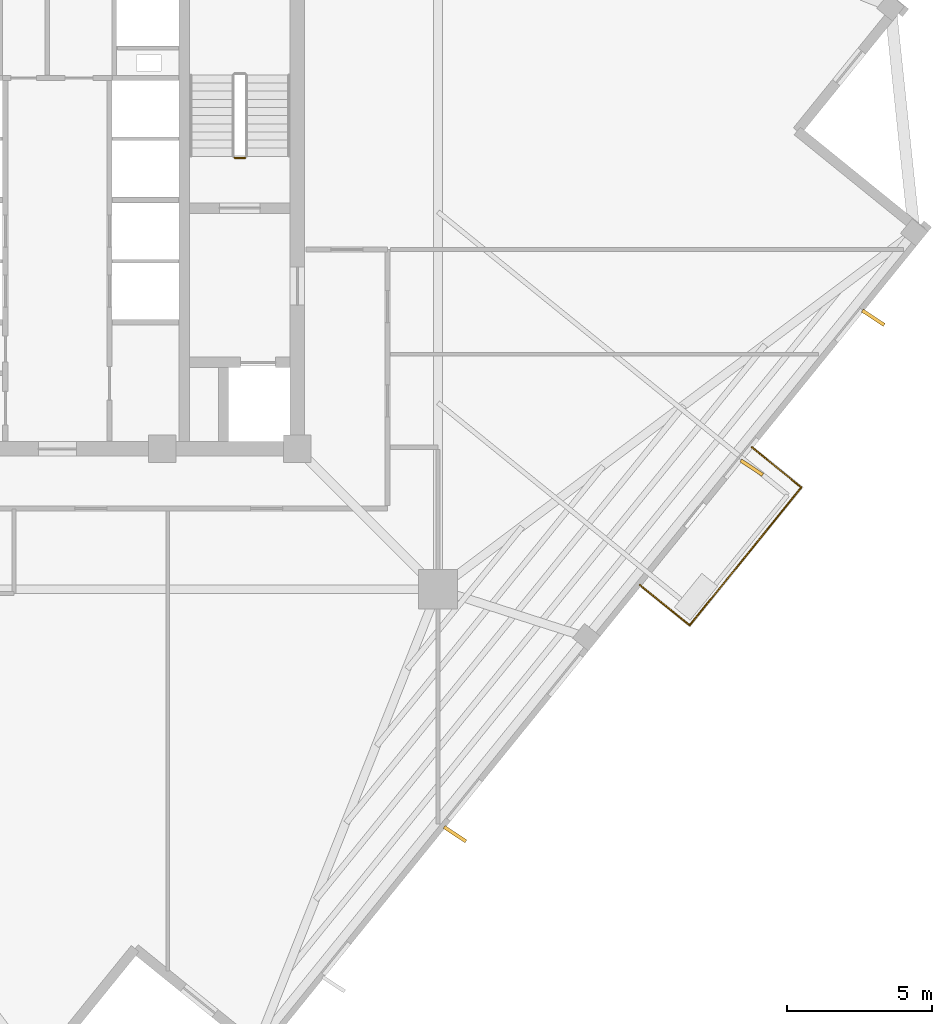
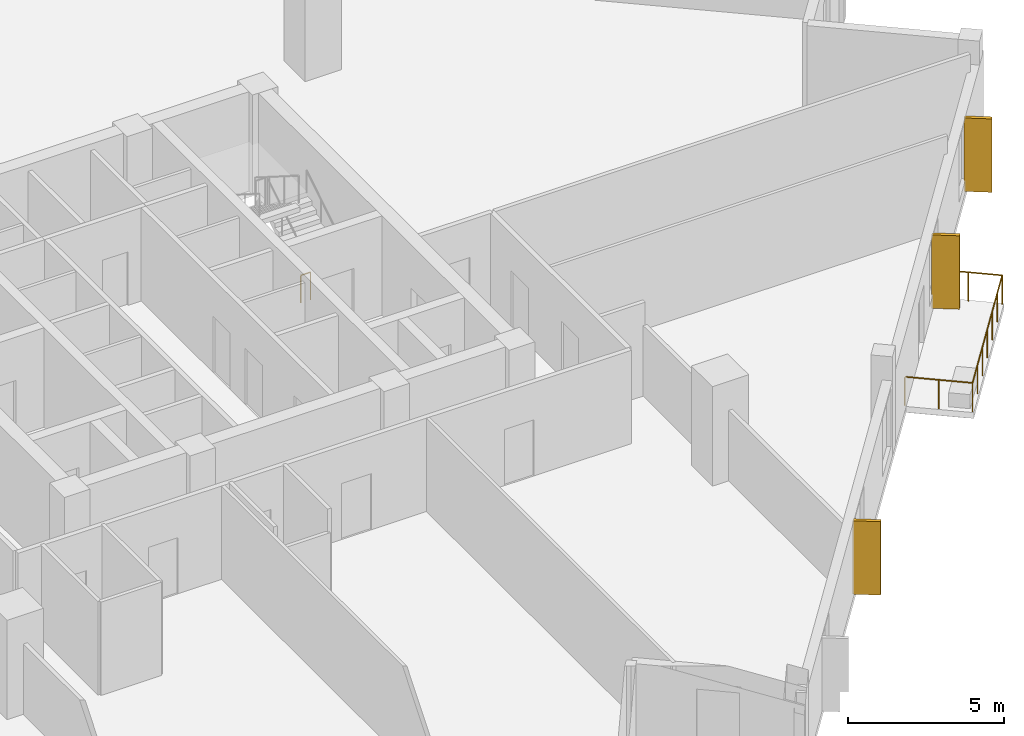
# One storey, part 7 of 9: 4 railings, 3 coverings.
"""IFC4 building model written with IfcOpenShell, lengths in metres."""

from ifc_helpers import new_model, si_unit, direction, frame, origin, origin_2d, place, context, subcontext, project, spatial, rectangle, circle, extrude, source, transform, mapped, material, layer, layer_set, type_object, element, save


model = new_model("IFC4")

# Units and contexts
model_context = context("Model", 3, precision=1e-05, world=origin(), true_north=direction((0.0, 1.0)))
body_context = subcontext(model_context, "Body", "Model", "MODEL_VIEW")
ifc_project = project(units=[si_unit("LENGTHUNIT", "METRE"), si_unit("AREAUNIT", "SQUARE_METRE"), si_unit("VOLUMEUNIT", "CUBIC_METRE"), si_unit("PLANEANGLEUNIT", "RADIAN"), si_unit("MASSUNIT", "GRAM", prefix="KILO"), si_unit("THERMODYNAMICTEMPERATUREUNIT", "KELVIN")], contexts=[model_context])

# Site, building, storey
site_placement = place(None, origin())
site = spatial("IfcSite", under=ifc_project, at=site_placement, CompositionType="ELEMENT")
building_placement = place(site_placement, origin())
building = spatial("IfcBuilding", under=site, at=building_placement, Name="Kosmvard Interchange Tower", CompositionType="ELEMENT")
storey_placement = place(building_placement, frame((0.0, 0.0, 221.199951171875)))
storey = spatial("IfcBuildingStorey", under=building, at=storey_placement, Name="L53", CompositionType="ELEMENT", Elevation=221.199951171875)

# Railings
ifc_material_1 = material(Name="Steel S355", Category="steel")
railing_type_1 = type_object("IfcRailingType", Name="Observation & Balcony Glass-Infill Balustrade 1150", PredefinedType="BALUSTRADE", material=ifc_material_1)
shared_shape_1 = source(origin(), body_context, "Body", "SweptSolid", [
    extrude(circle(Radius=0.02392578125, at=origin_2d()), frame((0.0, 0.0, 1.1259765625), z_axis=(0.777141488432, -0.629325914736, 0.0), x_axis=(0.629325914736, 0.777141488432, 0.0)), (0.0, 0.0, 1.0), 2.199951171875),
    extrude(circle(Radius=0.02099609375, at=origin_2d()), origin(), (0.0, 0.0, 1.0), 1.101806640625),
    extrude(circle(Radius=0.02099609375, at=origin_2d()), frame((0.85498046875, -0.6923828125, 0.0)), (0.0, 0.0, 1.0), 1.101806640625),
    extrude(circle(Radius=0.02099609375, at=origin_2d()), frame((1.709716796875, -1.384521484375, 0.0)), (0.0, 0.0, 1.0), 1.101806640625),
])
railing_1_placement = place(storey_placement, frame((20.023193359375, -12.93310546875, 0.0)))
element("IfcRailing", 1, at=railing_1_placement, inside=storey, type_object=railing_type_1, Name="L53 Outdoor Terrace Guard BAL-L53-SW-A", PredefinedType="BALUSTRADE", context=body_context, shape_type="MappedRepresentation", body=[
    mapped(shared_shape_1, transform((0.0, 0.0, 0.0), scale=1.0)),
])
shared_shape_2 = source(origin(), body_context, "Body", "SweptSolid", [
    extrude(circle(Radius=0.02392578125, at=origin_2d()), frame((0.0, 0.0, 1.1259765625), z_axis=(-0.777141488432, 0.629325914736, 0.0), x_axis=(-0.629325914736, -0.777141488432, 0.0)), (0.0, 0.0, 1.0), 2.199951171875),
    extrude(circle(Radius=0.02099609375, at=origin_2d()), origin(), (0.0, 0.0, 1.0), 1.101806640625),
    extrude(circle(Radius=0.02099609375, at=origin_2d()), frame((-0.85498046875, 0.6923828125, 0.0)), (0.0, 0.0, 1.0), 1.101806640625),
    extrude(circle(Radius=0.02099609375, at=origin_2d()), frame((-1.709716796875, 1.384521484375, 0.0)), (0.0, 0.0, 1.0), 1.101806640625),
])
railing_2_placement = place(storey_placement, frame((25.57177734375, -9.5771484375, 0.0)))
element("IfcRailing", 2, at=railing_2_placement, inside=storey, type_object=railing_type_1, Name="L53 Outdoor Terrace Guard BAL-L53-SW-C", PredefinedType="BALUSTRADE", context=body_context, shape_type="MappedRepresentation", body=[
    mapped(shared_shape_2, transform((0.0, 0.0, 0.0), scale=1.0)),
])

# Coverings
ifc_material_2 = material(Name="Architectural anodised aluminium", Category="aluminium")
ifc_layer = layer(ifc_material_2, 0.1201171875, Name="Architectural anodised aluminium")
ifc_layer_set = layer_set([ifc_layer], Name="Architectural anodised aluminium")
covering_type = type_object("IfcCoveringType", Name="Rotating Vertical Sun-Breaker Fin 900x120 Aluminium", PredefinedType="CLADDING", material=ifc_layer_set)
shared_shape_3 = source(origin(), body_context, "Body", "SweptSolid", [
    extrude(rectangle(XDim=0.89990234375, YDim=0.1201171875, at=origin_2d()), origin(), (0.0, 0.0, 1.0), 2.8798828125),
])
for number, where, z_axis, x_axis, name in (
    (3, (13.66748046875, -21.49658203125, 0.0400390625), (0.0, 0.0, 1.0), (0.835135979853, -0.550043539327, 0.0), "L53 Rotating Vertical Sun-Breaker Fin 02"),
    (4, (23.86865234375, -8.8994140625, 0.0400390625), (0.0, 0.0, 1.0), (0.835135979853, -0.550043539327, 0.0), "L53 Rotating Vertical Sun-Breaker Fin 03"),
    (5, (28.041748046875, -3.74609375, 0.0400390625), (0.0, 0.0, 1.0), (0.835135979853, -0.550043539327, 0.0), "L53 Rotating Vertical Sun-Breaker Fin 04"),
):
    element("IfcCovering", number, at=place(storey_placement, frame(where, z_axis=z_axis, x_axis=x_axis)), inside=storey, type_object=covering_type, Name=name, PredefinedType="CLADDING", context=body_context, shape_type="MappedRepresentation", body=[
        mapped(shared_shape_3, transform((0.0, 0.0, 0.0), scale=1.0)),
    ])

# Railings
shared_shape_4 = source(origin(), body_context, "Body", "SweptSolid", [
    extrude(circle(Radius=0.02392578125, at=origin_2d()), frame((0.0, 0.0, 1.1259765625), z_axis=(0.629330626282, 0.777137673017, 0.0), x_axis=(-0.777137673017, 0.629330626282, 0.0)), (0.0, 0.0, 1.0), 6.099853515625),
    extrude(circle(Radius=0.02099609375, at=origin_2d()), origin(), (0.0, 0.0, 1.0), 1.101806640625),
    extrude(circle(Radius=0.02099609375, at=origin_2d()), frame((0.639892578125, 0.7900390625, 0.0)), (0.0, 0.0, 1.0), 1.101806640625),
    extrude(circle(Radius=0.02099609375, at=origin_2d()), frame((1.279541015625, 1.580078125, 0.0)), (0.0, 0.0, 1.0), 1.101806640625),
    extrude(circle(Radius=0.02099609375, at=origin_2d()), frame((1.91943359375, 2.3701171875, 0.0)), (0.0, 0.0, 1.0), 1.101806640625),
    extrude(circle(Radius=0.02099609375, at=origin_2d()), frame((2.559326171875, 3.160400390625, 0.0)), (0.0, 0.0, 1.0), 1.101806640625),
    extrude(circle(Radius=0.02099609375, at=origin_2d()), frame((3.198974609375, 3.950439453125, 0.0)), (0.0, 0.0, 1.0), 1.101806640625),
    extrude(circle(Radius=0.02099609375, at=origin_2d()), frame((3.8388671875, 4.740478515625, 0.0)), (0.0, 0.0, 1.0), 1.101806640625),
])
railing_3_placement = place(storey_placement, frame((21.73291015625, -14.317626953125, 0.0)))
element("IfcRailing", 6, at=railing_3_placement, inside=storey, type_object=railing_type_1, Name="L53 Outdoor Terrace Guard BAL-L53-SW-B", PredefinedType="BALUSTRADE", context=body_context, shape_type="MappedRepresentation", body=[
    mapped(shared_shape_4, transform((0.0, 0.0, 0.0), scale=1.0)),
])
railing_type_2 = type_object("IfcRailingType", Name="Stair & Terrace Safety Guardrail 1100 Steel", PredefinedType="GUARDRAIL", material=ifc_material_1)
shared_shape_5 = source(origin(), body_context, "Body", "SweptSolid", [
    extrude(circle(Radius=0.02392578125, at=origin_2d()), frame((0.0, 0.0, 1.076171875), z_axis=(-1.0, 0.0, 0.0), x_axis=(0.0, -1.0, 0.0)), (0.0, 0.0, 1.0), 0.35986328125),
    extrude(circle(Radius=0.02099609375, at=origin_2d()), origin(), (0.0, 0.0, 1.0), 1.052001953125),
    extrude(circle(Radius=0.02099609375, at=origin_2d()), frame((-0.35986328125, 0.0, 0.0)), (0.0, 0.0, 1.0), 1.052001953125),
])
railing_4_placement = place(storey_placement, frame((6.449951171875, 1.75, 0.0)))
element("IfcRailing", 7, at=railing_4_placement, inside=storey, type_object=railing_type_2, Name="L53 ST-2 stair guard 4", PredefinedType="GUARDRAIL", context=body_context, shape_type="MappedRepresentation", body=[
    mapped(shared_shape_5, transform((0.0, 0.0, 0.0), scale=1.0)),
])

save(model, "model.ifc")
